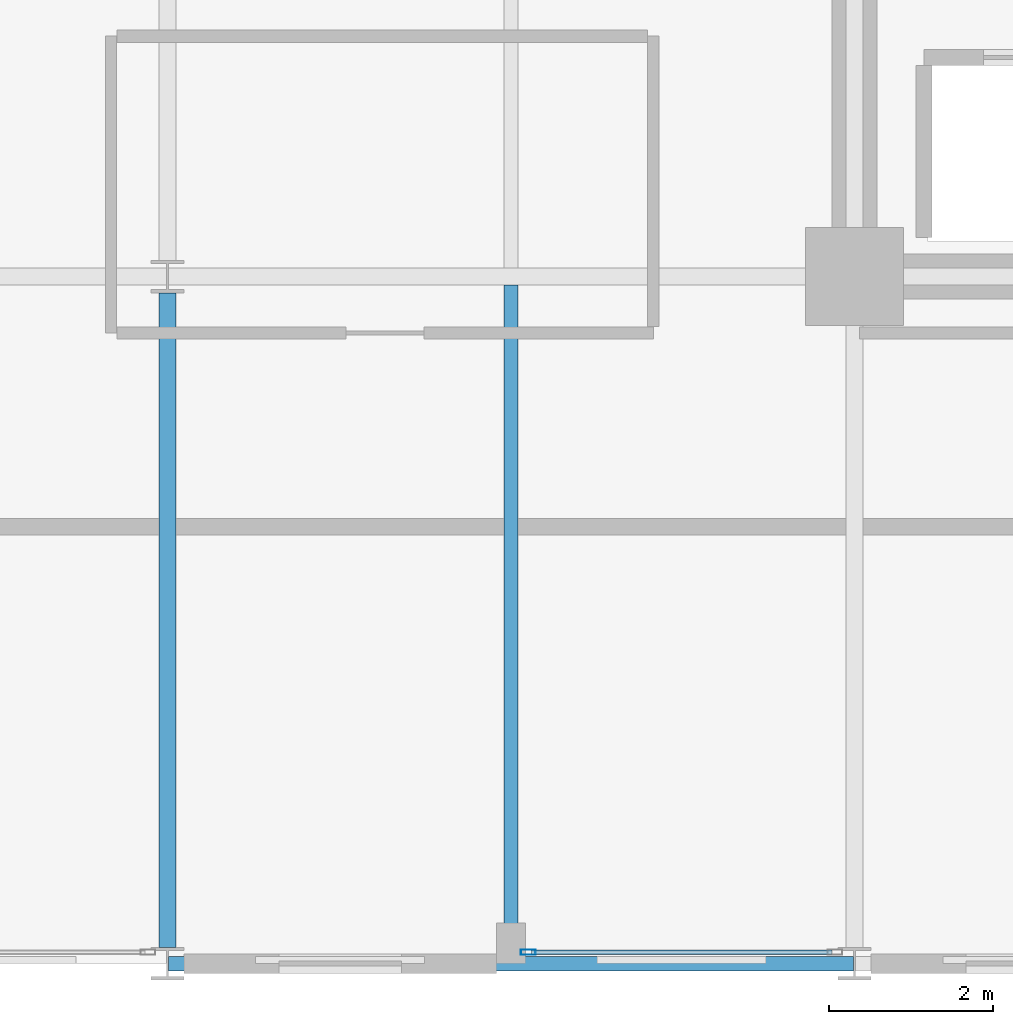
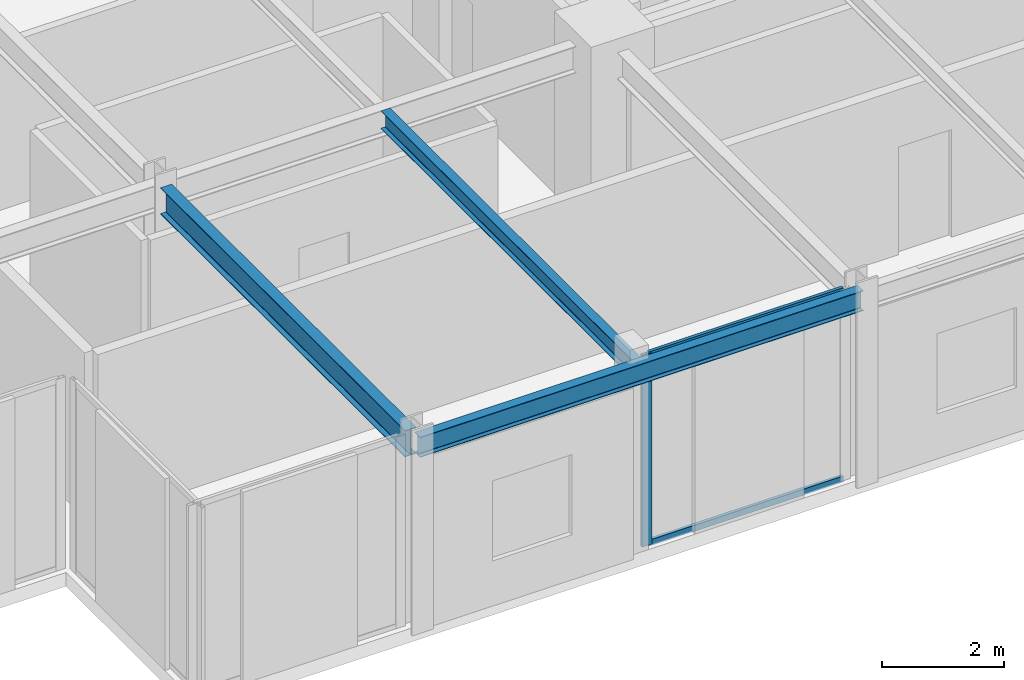
# One storey, part 3 of 29: 3 beams, 3 members, 1 element without a shape of its own.
"""IFC4 building model written with IfcOpenShell, lengths in metres."""

from ifc_helpers import new_model, si_unit, direction, frame, origin, origin_2d, place, context, subcontext, project, spatial, hollow_rectangle, i_section, extrude, material, layer, layer_set, material_profile, profile_set, type_object, element, aggregate, save


model = new_model("IFC4")

# Units and contexts
model_context = context("Model", 3, precision=1e-05, world=origin(), true_north=direction((0.0, 1.0)))
body_context = subcontext(model_context, "Body", "Model", "MODEL_VIEW")
ifc_project = project(units=[si_unit("LENGTHUNIT", "METRE"), si_unit("AREAUNIT", "SQUARE_METRE"), si_unit("VOLUMEUNIT", "CUBIC_METRE"), si_unit("PLANEANGLEUNIT", "RADIAN"), si_unit("MASSUNIT", "GRAM", prefix="KILO")], contexts=[model_context])

# Site, building, storey
site_placement = place(None, origin())
site = spatial("IfcSite", under=ifc_project, at=site_placement, CompositionType="ELEMENT")
building_placement = place(site_placement, origin())
building = spatial("IfcBuilding", under=site, at=building_placement, Name="Nerrivon Quay Data Exchange", CompositionType="ELEMENT")
storey_placement = place(building_placement, frame((0.0, 0.0, 137.699951171875)))
storey = spatial("IfcBuildingStorey", under=building, at=storey_placement, Name="L32", CompositionType="ELEMENT", Elevation=137.699951171875)

# Beams
ifc_material_1 = material(Name="Steel Grade 350", Category="steel")
ifc_material_profile_1 = material_profile(ifc_material_1, i_section(OverallWidth=0.208984375, OverallDepth=0.528076171875, WebThickness=0.009521484375, FlangeThickness=0.01318359375, FilletRadius=0.013916015625, at=origin_2d()), Name="530UB82.0")
ifc_profile_set_1 = profile_set([ifc_material_profile_1], Name="Steel Grade 350")
beam_type_1 = type_object("IfcBeamType", Name="BM-G4-530UB82", PredefinedType="BEAM", material=ifc_profile_set_1)
beam_1_placement = place(storey_placement, frame((8.39990234375, 0.199951171875, 3.56103515625), z_axis=(0.0, 1.0, 0.0), x_axis=(-1.0, 0.0, 0.0)))
element("IfcBeam", 1, at=beam_1_placement, inside=storey, type_object=beam_type_1, Name="L32 NS Girder X=8.4 (0.0..8.4)", PredefinedType="BEAM", context=body_context, shape_type="SweptSolid", body=[
    extrude(i_section(OverallWidth=0.208984375, OverallDepth=0.528076171875, WebThickness=0.009521484375, FlangeThickness=0.01318359375, FilletRadius=0.013916015625, at=origin_2d()), origin(), (0.0, 0.0, 1.0), 8.0),
])
ifc_material_profile_2 = material_profile(ifc_material_1, i_section(OverallWidth=0.1708984375, OverallDepth=0.35595703125, WebThickness=0.00732421875, FlangeThickness=0.011474609375, FilletRadius=0.011474609375, at=origin_2d()), Name="360UB50.7")
ifc_profile_set_2 = profile_set([ifc_material_profile_2], Name="Steel Grade 350")
beam_type_2 = type_object("IfcBeamType", Name="BM-J4-360UB51", PredefinedType="JOIST", material=ifc_profile_set_2)
beam_2_placement = place(storey_placement, frame((12.60009765625, 0.089111328125, 3.64697265625), z_axis=(0.0, 1.0, 0.0), x_axis=(-1.0, 0.0, 0.0)))
element("IfcBeam", 2, at=beam_2_placement, inside=storey, type_object=beam_type_2, Name="L32 Secondary Joist X=12.6 (0.0..8.4)", PredefinedType="JOIST", context=body_context, shape_type="SweptSolid", body=[
    extrude(i_section(OverallWidth=0.1708984375, OverallDepth=0.35595703125, WebThickness=0.00732421875, FlangeThickness=0.011474609375, FilletRadius=0.011474609375, at=origin_2d()), origin(), (0.0, 0.0, 1.0), 8.206298828125),
])
ifc_material_profile_3 = material_profile(ifc_material_1, i_section(OverallWidth=0.177978515625, OverallDepth=0.403076171875, WebThickness=0.007568359375, FlangeThickness=0.010986328125, FilletRadius=0.011474609375, at=origin_2d()), Name="410UB53.7")
ifc_profile_set_3 = profile_set([ifc_material_profile_3], Name="Steel Grade 350")
beam_type_3 = type_object("IfcBeamType", Name="BM-SP2-410UB54", PredefinedType="SPANDREL", material=ifc_profile_set_3)
beam_3_placement = place(storey_placement, frame((8.41259765625, 0.0, 3.62353515625), z_axis=(1.0, 0.0, 0.0), x_axis=(0.0, 1.0, 0.0)))
element("IfcBeam", 3, at=beam_3_placement, inside=storey, type_object=beam_type_3, Name="L32 EW Girder Y=0.0 (8.4..16.8)", PredefinedType="SPANDREL", context=body_context, shape_type="SweptSolid", body=[
    extrude(i_section(OverallWidth=0.177978515625, OverallDepth=0.403076171875, WebThickness=0.007568359375, FlangeThickness=0.010986328125, FilletRadius=0.011474609375, at=origin_2d()), origin(), (0.0, 0.0, 1.0), 8.375),
])

# Curtain wall, members
ifc_material_2 = material(Name="Anodised aluminium 6063-T6", Category="aluminium")
ifc_layer = layer(ifc_material_2, 0.2099609375)
ifc_layer_set = layer_set([ifc_layer], Name="Anodised aluminium 6063-T6")
curtain_wall_type = type_object("IfcCurtainWallType", Name="CW-SYS-02", PredefinedType="NOTDEFINED", material=ifc_layer_set)
curtain_wall_placement = place(storey_placement, origin())
curtain_wall = element("IfcCurtainWall", 4, at=curtain_wall_placement, inside=storey, type_object=curtain_wall_type, Name="L32 Unitised Curtain Wall 6", PredefinedType="NOTDEFINED")
ifc_material_profile_4 = material_profile(ifc_material_2, hollow_rectangle(XDim=0.06494140625, YDim=0.179931640625, WallThickness=0.00341796875, at=origin_2d()), Name="ALU-MULL-180x65")
ifc_profile_set_4 = profile_set([ifc_material_profile_4], Name="Anodised aluminium 6063-T6")
member_type_1 = type_object("IfcMemberType", Name="CWM-180x65", PredefinedType="MULLION", material=ifc_profile_set_4)
member_1_placement = place(storey_placement, frame((12.8125, 0.139892578125, 0.0), z_axis=(0.0, 0.0, 1.0), x_axis=(0.0, -1.0, 0.0)))
member_1 = element("IfcMember", 5, at=member_1_placement, type_object=member_type_1, Name="CW02 mullion 2", PredefinedType="MULLION", context=body_context, shape_type="SweptSolid", body=[
    extrude(hollow_rectangle(XDim=0.06494140625, YDim=0.179931640625, WallThickness=0.00341796875, at=origin_2d()), origin(), (0.0, 0.0, 1.0), 3.824951171875),
])
ifc_material_profile_5 = material_profile(ifc_material_2, hollow_rectangle(XDim=0.06005859375, YDim=0.1201171875, WallThickness=0.003173828125, at=origin_2d()), Name="ALU-TRAN-120x60")
ifc_profile_set_5 = profile_set([ifc_material_profile_5], Name="Anodised aluminium 6063-T6")
member_type_2 = type_object("IfcMemberType", Name="CWT-120x60", PredefinedType="USERDEFINED", material=ifc_profile_set_5)
member_2_placement = place(storey_placement, frame((16.52490234375, 0.139892578125, 0.032470703125), z_axis=(-1.0, 0.0, 0.0), x_axis=(0.0, -1.0, 0.0)))
member_2 = element("IfcMember", 6, at=member_2_placement, type_object=member_type_2, Name="CW02 transom 1.1", ObjectType="TRANSOM", PredefinedType="USERDEFINED", context=body_context, shape_type="SweptSolid", body=[
    extrude(hollow_rectangle(XDim=0.06005859375, YDim=0.1201171875, WallThickness=0.003173828125, at=origin_2d()), origin(), (0.0, 0.0, 1.0), 3.6748046875),
])
member_3_placement = place(storey_placement, frame((16.52490234375, 0.139892578125, 3.79248046875), z_axis=(-1.0, 0.0, 0.0), x_axis=(0.0, -1.0, 0.0)))
member_3 = element("IfcMember", 7, at=member_3_placement, type_object=member_type_2, Name="CW02 transom 1.2", ObjectType="TRANSOM", PredefinedType="USERDEFINED", context=body_context, shape_type="SweptSolid", body=[
    extrude(hollow_rectangle(XDim=0.06005859375, YDim=0.1201171875, WallThickness=0.003173828125, at=origin_2d()), origin(), (0.0, 0.0, 1.0), 3.6748046875),
])
aggregate(curtain_wall, [member_1, member_2, member_3])

save(model, "model.ifc")
